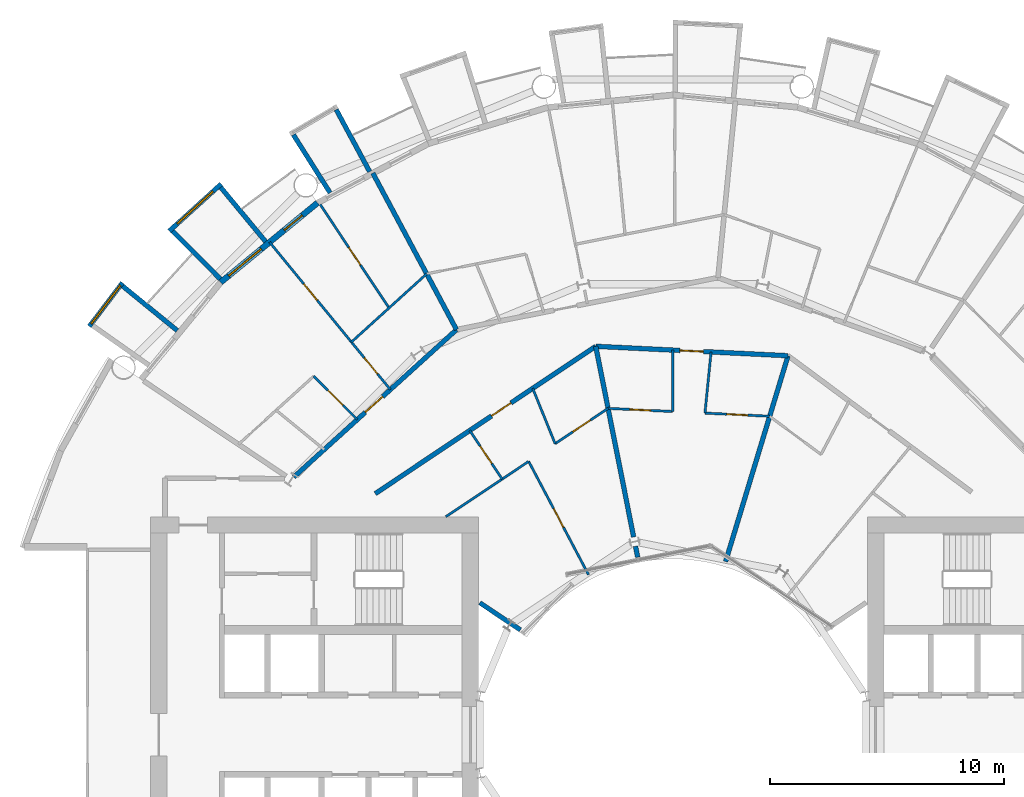
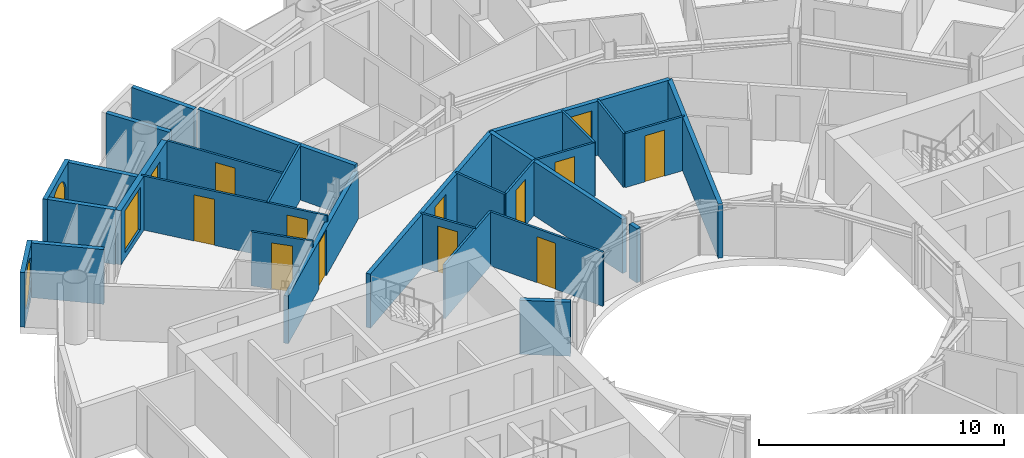
# One storey, part 19 of 26: 29 walls, 13 doors, 3 windows, 16 openings.
"""IFC4 building model written with IfcOpenShell, lengths in metres."""

from ifc_helpers import new_model, si_unit, direction, frame, frame_2d, origin, place, context, subcontext, project, spatial, rectangle, circle, extrude, material, layer, layer_set, type_object, element, fill, save


model = new_model("IFC4")

# Units and contexts
model_context = context("Model", 3, precision=1e-05, world=origin(), true_north=direction((0.0, 1.0)))
body_context = subcontext(model_context, "Body", "Model", "MODEL_VIEW")
ifc_project = project(units=[si_unit("LENGTHUNIT", "METRE"), si_unit("AREAUNIT", "SQUARE_METRE"), si_unit("VOLUMEUNIT", "CUBIC_METRE"), si_unit("PLANEANGLEUNIT", "RADIAN"), si_unit("MASSUNIT", "GRAM", prefix="KILO")], contexts=[model_context])

# Site, building, storey
site_placement = place(None, origin())
site = spatial("IfcSite", under=ifc_project, at=site_placement, CompositionType="ELEMENT")
building_placement = place(site_placement, origin())
building = spatial("IfcBuilding", under=site, at=building_placement, Name="Maasbend Ring Residences", CompositionType="ELEMENT")
storey_placement = place(building_placement, frame((0.0, 0.0, 63.60009765625)))
storey = spatial("IfcBuildingStorey", under=building, at=storey_placement, Name="L17", CompositionType="ELEMENT", Elevation=63.60009765625)

# Wall, opening, door
ifc_material_1 = material(Name="Concrete C30/37", Category="concrete")
ifc_layer_1 = layer(ifc_material_1, 0.199951171875)
ifc_layer_set_1 = layer_set([ifc_layer_1], Name="Concrete C30/37")
wall_type_1 = type_object("IfcWallType", Name="CORRIDOR WALL 200 CONCRETE", PredefinedType="PARTITIONING", material=ifc_layer_set_1)
wall_1_placement = place(storey_placement, frame((-12.7080078125, 10.285888671875, 0.0), z_axis=(0.0, 0.0, 1.0), x_axis=(0.831405725802, 0.555665834026, 0.0)))
wall_1 = element("IfcWall", 1, at=wall_1_placement, inside=storey, type_object=wall_type_1, Name="U-L17-w101", PredefinedType="PARTITIONING", context=body_context, shape_type="SweptSolid", body=[
    extrude(rectangle(XDim=11.314453125, YDim=0.199951171875, at=frame_2d((5.6572265625, 0.0))), origin(), (0.0, 0.0, 1.0), 2.699951171875),
])
opening_1_placement = place(wall_1_placement, frame((5.968994140625, 0.0, 0.0)))
opening_1 = element("IfcOpeningElement", 2, at=opening_1_placement, cuts=wall_1, Name="Opening D-1731", PredefinedType="OPENING", context=body_context, shape_type="SweptSolid", body=[
    extrude(rectangle(XDim=1.0, YDim=2.300048828125, at=frame_2d((0.5, 1.14990234375))), frame((0.0, 0.10986328125, 0.0), z_axis=(0.0, -1.0, 0.0), x_axis=(1.0, 0.0, 0.0)), (0.0, 0.0, 1.0), 0.219970703125),
])
ifc_material_2 = material(Name="Timber, fire-rated, painted", Category="wood")
door_type_1 = type_object("IfcDoorType", Name="FLAT ENTRANCE DOOR 1000 X 2300 FIRE-RATED", OperationType="NOTDEFINED", PredefinedType="DOOR", material=ifc_material_2)
door_1_placement = place(opening_1_placement, origin())
door_1 = element("IfcDoor", 3, at=door_1_placement, inside=storey, type_object=door_type_1, Name="D-1731", OperationType="SINGLE_SWING_RIGHT", OverallHeight=2.300048828125, OverallWidth=1.0, PredefinedType="DOOR", context=body_context, shape_type="SweptSolid", body=[
    extrude(rectangle(XDim=1.0, YDim=2.300048828125, at=frame_2d((0.5, 1.14990234375))), frame((0.0, 0.02490234375, 0.0), z_axis=(0.0, -1.0, 0.0), x_axis=(1.0, 0.0, 0.0)), (0.0, 0.0, 1.0), 0.050048828125),
])
fill(opening_1, door_1)

wall_2_placement = place(storey_placement, frame((-3.298095703125, 16.573974609375, 0.0), z_axis=(0.0, 0.0, 1.0), x_axis=(0.998802523271, -0.048923608895, 0.0)))
wall_2 = element("IfcWall", 4, at=wall_2_placement, inside=storey, type_object=wall_type_1, Name="U-L17-w103", PredefinedType="PARTITIONING", context=body_context, shape_type="SweptSolid", body=[
    extrude(rectangle(XDim=8.2138671875, YDim=0.199951171875, at=frame_2d((4.10693359375, 0.0))), origin(), (0.0, 0.0, 1.0), 2.699951171875),
])
opening_2_placement = place(wall_2_placement, frame((3.60009765625, 0.0, 0.0)))
opening_2 = element("IfcOpeningElement", 5, at=opening_2_placement, cuts=wall_2, Name="Opening D-1728", PredefinedType="OPENING", context=body_context, shape_type="SweptSolid", body=[
    extrude(rectangle(XDim=1.0, YDim=2.300048828125, at=frame_2d((0.5, 1.14990234375))), frame((0.0, 0.10986328125, 0.0), z_axis=(0.0, -1.0, 0.0), x_axis=(1.0, 0.0, 0.0)), (0.0, 0.0, 1.0), 0.219970703125),
])
door_2_placement = place(opening_2_placement, origin())
door_2 = element("IfcDoor", 6, at=door_2_placement, inside=storey, type_object=door_type_1, Name="D-1728", OperationType="SINGLE_SWING_LEFT", OverallHeight=2.300048828125, OverallWidth=1.0, PredefinedType="DOOR", context=body_context, shape_type="SweptSolid", body=[
    extrude(rectangle(XDim=1.0, YDim=2.300048828125, at=frame_2d((0.5, 1.14990234375))), frame((0.0, 0.02490234375, 0.0), z_axis=(0.0, -1.0, 0.0), x_axis=(1.0, 0.0, 0.0)), (0.0, 0.0, 1.0), 0.050048828125),
])
fill(opening_2, door_2)

wall_3_placement = place(storey_placement, frame((-16.179931640625, 10.9951171875, 0.0), z_axis=(0.0, 0.0, 1.0), x_axis=(0.741086986457, 0.671409024741, 0.0)))
wall_3 = element("IfcWall", 7, at=wall_3_placement, inside=storey, type_object=wall_type_1, Name="U-L17-w105", PredefinedType="PARTITIONING", context=body_context, shape_type="SweptSolid", body=[
    extrude(rectangle(XDim=9.372802734375, YDim=0.199951171875, at=frame_2d((4.6865234375, 0.0))), origin(), (0.0, 0.0, 1.0), 2.3798828125),
])
opening_3_placement = place(wall_3_placement, frame((4.114990234375, 0.0, 0.0)))
opening_3 = element("IfcOpeningElement", 8, at=opening_3_placement, cuts=wall_3, Name="Opening D-1718", PredefinedType="OPENING", context=body_context, shape_type="SweptSolid", body=[
    extrude(rectangle(XDim=1.0, YDim=2.300048828125, at=frame_2d((0.5, 1.14990234375))), frame((0.0, 0.10986328125, 0.0), z_axis=(0.0, -1.0, 0.0), x_axis=(1.0, 0.0, 0.0)), (0.0, 0.0, 1.0), 0.219970703125),
])
door_3_placement = place(opening_3_placement, origin())
door_3 = element("IfcDoor", 9, at=door_3_placement, inside=storey, type_object=door_type_1, Name="D-1718", OperationType="SINGLE_SWING_LEFT", OverallHeight=2.300048828125, OverallWidth=1.0, PredefinedType="DOOR", context=body_context, shape_type="SweptSolid", body=[
    extrude(rectangle(XDim=1.0, YDim=2.300048828125, at=frame_2d((0.5, 1.14990234375))), frame((0.0, 0.02490234375, 0.0), z_axis=(0.0, -1.0, 0.0), x_axis=(1.0, 0.0, 0.0)), (0.0, 0.0, 1.0), 0.050048828125),
])
fill(opening_3, door_3)

# Walls
ifc_material_3 = material(Name="Pale anodised aluminium panel", Category="aluminium")
ifc_layer_2 = layer(ifc_material_3, 0.199951171875)
ifc_layer_set_2 = layer_set([ifc_layer_2], Name="EW-BOX")
wall_type_2 = type_object("IfcWallType", Name="EW-BOX", PredefinedType="SOLIDWALL", material=ifc_layer_set_2)
wall_4_placement = place(storey_placement, frame((-12.945068359375, 24.029052734375, -0.030029296875), z_axis=(0.0, 0.0, 1.0), x_axis=(-0.474424310775, 0.88029629861, 0.0)))
element("IfcWall", 10, at=wall_4_placement, inside=storey, type_object=wall_type_2, Name="Box side wall N16 left", PredefinedType="SOLIDWALL", context=body_context, shape_type="SweptSolid", body=[
    extrude(rectangle(XDim=3.005859375, YDim=0.199951171875, at=frame_2d((1.5029296875, 0.0))), origin(), (0.0, 0.0, 1.0), 2.72998046875),
])
wall_5_placement = place(storey_placement, frame((-14.635009765625, 23.1259765625, -0.030029296875), z_axis=(0.0, 0.0, 1.0), x_axis=(-0.534437802731, 0.845207805816, 0.0)))
element("IfcWall", 11, at=wall_5_placement, inside=storey, type_object=wall_type_2, Name="Box side wall N16 right", PredefinedType="SOLIDWALL", context=body_context, shape_type="SweptSolid", body=[
    extrude(rectangle(XDim=2.931884765625, YDim=0.199951171875, at=frame_2d((1.4658203125, 0.0))), origin(), (0.0, 0.0, 1.0), 2.72998046875),
])

# Wall, opening, window
wall_6_placement = place(storey_placement, frame((-19.281982421875, 23.5029296875, -0.030029296875), z_axis=(0.0, 0.0, 1.0), x_axis=(-0.740998365753, -0.671506829416, 0.0)))
wall_6 = element("IfcWall", 12, at=wall_6_placement, inside=storey, type_object=wall_type_2, Name="Box front N18", PredefinedType="SOLIDWALL", context=body_context, shape_type="SweptSolid", body=[
    extrude(rectangle(XDim=2.9931640625, YDim=0.199951171875, at=frame_2d((1.49658203125, 0.0))), origin(), (0.0, 0.0, 1.0), 2.72998046875),
])
opening_4_placement = place(wall_6_placement, frame((0.45654296875, 0.0, 0.330078125)))
opening_4 = element("IfcOpeningElement", 13, at=opening_4_placement, cuts=wall_6, Name="Opening W-RD", PredefinedType="OPENING", context=body_context, shape_type="SweptSolid", body=[
    extrude(circle(Radius=1.0400390625, at=frame_2d((1.0400390625, 1.0400390625))), frame((0.0, 0.10986328125, 0.0), z_axis=(0.0, -1.0, 0.0), x_axis=(1.0, 0.0, 0.0)), (0.0, 0.0, 1.0), 0.219970703125),
])
ifc_material_4 = material(Name="Aluminium and clear glass", Category="aluminium")
window_type_1 = type_object("IfcWindowType", Name="W-RD", PartitioningType="SINGLE_PANEL", PredefinedType="WINDOW", material=ifc_material_4)
window_1_placement = place(opening_4_placement, origin())
window_1 = element("IfcWindow", 14, at=window_1_placement, inside=storey, type_object=window_type_1, Name="Round window N18", OverallHeight=2.080078125, OverallWidth=2.080078125, PartitioningType="SINGLE_PANEL", PredefinedType="WINDOW", context=body_context, shape_type="SweptSolid", body=[
    extrude(circle(Radius=1.0400390625, at=frame_2d((1.0400390625, 1.0400390625))), frame((0.0, 0.030029296875, 0.0), z_axis=(0.0, -1.0, 0.0), x_axis=(1.0, 0.0, 0.0)), (0.0, 0.0, 1.0), 0.06005859375),
])
fill(opening_4, window_1)

# Walls
wall_7_placement = place(storey_placement, frame((-17.384033203125, 21.041015625, -0.030029296875), z_axis=(0.0, 0.0, 1.0), x_axis=(-0.63709551667, 0.770784861449, 0.0)))
element("IfcWall", 15, at=wall_7_placement, inside=storey, type_object=wall_type_2, Name="Box side wall N18 left", PredefinedType="SOLIDWALL", context=body_context, shape_type="SweptSolid", body=[
    extrude(rectangle(XDim=3.005859375, YDim=0.199951171875, at=frame_2d((1.5029296875, 0.0))), origin(), (0.0, 0.0, 1.0), 2.72998046875),
])
wall_8_placement = place(storey_placement, frame((-19.322998046875, 19.449951171875, -0.030029296875), z_axis=(0.0, 0.0, 1.0), x_axis=(-0.704476739375, 0.709727076896, 0.0)))
element("IfcWall", 16, at=wall_8_placement, inside=storey, type_object=wall_type_2, Name="Box side wall N18 right", PredefinedType="SOLIDWALL", context=body_context, shape_type="SweptSolid", body=[
    extrude(rectangle(XDim=2.883056640625, YDim=0.199951171875, at=frame_2d((1.44140625, 0.0))), origin(), (0.0, 0.0, 1.0), 2.72998046875),
])

# Wall, opening, window
wall_9_placement = place(storey_placement, frame((-23.4970703125, 19.2890625, -0.030029296875), z_axis=(0.0, 0.0, 1.0), x_axis=(-0.60418752353, -0.796842165306, 0.0)))
wall_9 = element("IfcWall", 17, at=wall_9_placement, inside=storey, type_object=wall_type_2, Name="Box front N20", PredefinedType="SOLIDWALL", context=body_context, shape_type="SweptSolid", body=[
    extrude(rectangle(XDim=2.3369140625, YDim=0.199951171875, at=frame_2d((1.16845703125, 0.0))), origin(), (0.0, 0.0, 1.0), 2.72998046875),
])
opening_5_placement = place(wall_9_placement, frame((0.128173828125, 0.0, 0.330078125)))
opening_5 = element("IfcOpeningElement", 18, at=opening_5_placement, cuts=wall_9, Name="Opening W-RD", PredefinedType="OPENING", context=body_context, shape_type="SweptSolid", body=[
    extrude(circle(Radius=1.0400390625, at=frame_2d((1.0400390625, 1.0400390625))), frame((0.0, 0.10986328125, 0.0), z_axis=(0.0, -1.0, 0.0), x_axis=(1.0, 0.0, 0.0)), (0.0, 0.0, 1.0), 0.219970703125),
])
window_2_placement = place(opening_5_placement, origin())
window_2 = element("IfcWindow", 19, at=window_2_placement, inside=storey, type_object=window_type_1, Name="Round window N20", OverallHeight=2.080078125, OverallWidth=2.080078125, PartitioningType="SINGLE_PANEL", PredefinedType="WINDOW", context=body_context, shape_type="SweptSolid", body=[
    extrude(circle(Radius=1.0400390625, at=frame_2d((1.0400390625, 1.0400390625))), frame((0.0, 0.030029296875, 0.0), z_axis=(0.0, -1.0, 0.0), x_axis=(1.0, 0.0, 0.0)), (0.0, 0.0, 1.0), 0.06005859375),
])
fill(opening_5, window_2)

# Wall
wall_10_placement = place(storey_placement, frame((-21.155029296875, 17.24609375, -0.030029296875), z_axis=(0.0, 0.0, 1.0), x_axis=(-0.775179004516, 0.631741648902, 0.0)))
element("IfcWall", 20, at=wall_10_placement, inside=storey, type_object=wall_type_2, Name="Box side wall N20 left", PredefinedType="SOLIDWALL", context=body_context, shape_type="SweptSolid", body=[
    extrude(rectangle(XDim=3.005859375, YDim=0.199951171875, at=frame_2d((1.5029296875, 0.0))), origin(), (0.0, 0.0, 1.0), 2.72998046875),
])

# Wall, openings, door, window
ifc_material_5 = material(Name="Aluminium clad insulated panel", Category="aluminium")
ifc_layer_3 = layer(ifc_material_5, 0.25)
ifc_layer_set_3 = layer_set([ifc_layer_3], Name="EW-GL")
wall_type_3 = type_object("IfcWallType", Name="EW-GL", PredefinedType="SOLIDWALL", material=ifc_layer_set_3)
wall_11_placement = place(storey_placement, frame((-15.1669921875, 22.698974609375, 0.0), z_axis=(0.0, 0.0, 1.0), x_axis=(-0.773019449054, -0.634382322723, 0.0)))
wall_11 = element("IfcWall", 21, at=wall_11_placement, inside=storey, type_object=wall_type_3, Name="External wall N09", PredefinedType="SOLIDWALL", context=body_context, shape_type="SweptSolid", body=[
    extrude(rectangle(XDim=5.351806640625, YDim=0.25, at=frame_2d((2.67578125, 0.0))), origin(), (0.0, 0.0, 1.0), 2.699951171875),
])
opening_6_placement = place(wall_11_placement, frame((0.841064453125, 0.0, 0.0)))
opening_6 = element("IfcOpeningElement", 22, at=opening_6_placement, cuts=wall_11, Name="Opening D-LG", PredefinedType="OPENING", context=body_context, shape_type="SweptSolid", body=[
    extrude(rectangle(XDim=1.0, YDim=2.199951171875, at=frame_2d((0.5, 1.10009765625))), frame((0.0, 0.135009765625, 0.0), z_axis=(0.0, -1.0, 0.0), x_axis=(1.0, 0.0, 0.0)), (0.0, 0.0, 1.0), 0.27001953125),
])
opening_7_placement = place(wall_11_placement, frame((3.110595703125, 0.0, 0.300048828125)))
opening_7 = element("IfcOpeningElement", 23, at=opening_7_placement, cuts=wall_11, Name="Opening W-BX", PredefinedType="OPENING", context=body_context, shape_type="SweptSolid", body=[
    extrude(rectangle(XDim=1.800048828125, YDim=2.10009765625, at=frame_2d((0.89990234375, 1.050048828125))), frame((0.0, 0.135009765625, 0.0), z_axis=(0.0, -1.0, 0.0), x_axis=(1.0, 0.0, 0.0)), (0.0, 0.0, 1.0), 0.27001953125),
])
ifc_material_6 = material(Name="Aluminium and clear glass", Category="aluminium")
door_type_2 = type_object("IfcDoorType", Name="D-LG", OperationType="SINGLE_SWING_LEFT", PredefinedType="DOOR", material=ifc_material_6)
door_4_placement = place(opening_6_placement, origin())
door_4 = element("IfcDoor", 24, at=door_4_placement, inside=storey, type_object=door_type_2, Name="Loggia door N17", OperationType="SINGLE_SWING_LEFT", OverallHeight=2.199951171875, OverallWidth=1.0, PredefinedType="DOOR", context=body_context, shape_type="SweptSolid", body=[
    extrude(rectangle(XDim=1.0, YDim=2.199951171875, at=frame_2d((0.5, 1.10009765625))), frame((0.0, 0.02490234375, 0.0), z_axis=(0.0, -1.0, 0.0), x_axis=(1.0, 0.0, 0.0)), (0.0, 0.0, 1.0), 0.050048828125),
])
fill(opening_6, door_4)
ifc_material_7 = material(Name="Aluminium and clear glass", Category="aluminium")
window_type_2 = type_object("IfcWindowType", Name="W-BX", PartitioningType="DOUBLE_PANEL_VERTICAL", PredefinedType="WINDOW", material=ifc_material_7)
window_3_placement = place(opening_7_placement, origin())
window_3 = element("IfcWindow", 25, at=window_3_placement, inside=storey, type_object=window_type_2, Name="Window N18 room to box", OverallHeight=2.10009765625, OverallWidth=1.800048828125, PartitioningType="SINGLE_PANEL", PredefinedType="WINDOW", context=body_context, shape_type="SweptSolid", body=[
    extrude(rectangle(XDim=1.800048828125, YDim=2.10009765625, at=frame_2d((0.89990234375, 1.050048828125))), frame((0.0, 0.030029296875, 0.0), z_axis=(0.0, -1.0, 0.0), x_axis=(1.0, 0.0, 0.0)), (0.0, 0.0, 1.0), 0.06005859375),
])
fill(opening_7, window_3)

# Wall, openings, doors
ifc_material_8 = material(Name="Gypsum board on steel studs", Category="steel")
ifc_layer_4 = layer(ifc_material_8, 0.10009765625)
ifc_layer_set_4 = layer_set([ifc_layer_4], Name="PARTITION 100 GYPSUM")
wall_type_4 = type_object("IfcWallType", Name="PARTITION 100 GYPSUM", PredefinedType="PARTITIONING", material=ifc_layer_set_4)
wall_12_placement = place(storey_placement, frame((-17.218994140625, 21.02294921875, 0.0), z_axis=(0.0, 0.0, 1.0), x_axis=(0.633664062855, -0.773608334654, 0.0)))
wall_12 = element("IfcWall", 26, at=wall_12_placement, inside=storey, type_object=wall_type_4, Name="U-L17-w033", PredefinedType="PARTITIONING", context=body_context, shape_type="SweptSolid", body=[
    extrude(rectangle(XDim=8.138427734375, YDim=0.10009765625, at=frame_2d((4.0693359375, 0.0))), origin(), (0.0, 0.0, 1.0), 2.699951171875),
])
opening_8_placement = place(wall_12_placement, frame((6.376953125, 0.0, 0.0)))
opening_8 = element("IfcOpeningElement", 27, at=opening_8_placement, cuts=wall_12, Name="Opening D-1721", PredefinedType="OPENING", context=body_context, shape_type="SweptSolid", body=[
    extrude(rectangle(XDim=0.89990234375, YDim=2.300048828125, at=frame_2d((0.449951171875, 1.14990234375))), frame((0.0, 0.06005859375, 0.0), z_axis=(0.0, -1.0, 0.0), x_axis=(1.0, 0.0, 0.0)), (0.0, 0.0, 1.0), 0.1201171875),
])
opening_9_placement = place(wall_12_placement, frame((2.30810546875, 0.0, 0.0)))
opening_9 = element("IfcOpeningElement", 28, at=opening_9_placement, cuts=wall_12, Name="Opening D-1722", PredefinedType="OPENING", context=body_context, shape_type="SweptSolid", body=[
    extrude(rectangle(XDim=0.89990234375, YDim=2.300048828125, at=frame_2d((0.449951171875, 1.14990234375))), frame((0.0, 0.06005859375, 0.0), z_axis=(0.0, -1.0, 0.0), x_axis=(1.0, 0.0, 0.0)), (0.0, 0.0, 1.0), 0.1201171875),
])
ifc_material_9 = material(Name="Timber, painted", Category="wood")
door_type_3 = type_object("IfcDoorType", Name="INTERNAL DOOR 900 X 2300", OperationType="NOTDEFINED", PredefinedType="DOOR", material=ifc_material_9)
door_5_placement = place(opening_8_placement, origin())
door_5 = element("IfcDoor", 29, at=door_5_placement, inside=storey, type_object=door_type_3, Name="D-1721", OperationType="SINGLE_SWING_RIGHT", OverallHeight=2.300048828125, OverallWidth=0.89990234375, PredefinedType="DOOR", context=body_context, shape_type="SweptSolid", body=[
    extrude(rectangle(XDim=0.89990234375, YDim=2.300048828125, at=frame_2d((0.449951171875, 1.14990234375))), frame((0.0, 0.02490234375, 0.0), z_axis=(0.0, -1.0, 0.0), x_axis=(1.0, 0.0, 0.0)), (0.0, 0.0, 1.0), 0.050048828125),
])
fill(opening_8, door_5)
door_6_placement = place(opening_9_placement, origin())
door_6 = element("IfcDoor", 30, at=door_6_placement, inside=storey, type_object=door_type_3, Name="D-1722", OperationType="SINGLE_SWING_LEFT", OverallHeight=2.300048828125, OverallWidth=0.89990234375, PredefinedType="DOOR", context=body_context, shape_type="SweptSolid", body=[
    extrude(rectangle(XDim=0.89990234375, YDim=2.300048828125, at=frame_2d((0.449951171875, 1.14990234375))), frame((0.0, 0.02490234375, 0.0), z_axis=(0.0, -1.0, 0.0), x_axis=(1.0, 0.0, 0.0)), (0.0, 0.0, 1.0), 0.050048828125),
])
fill(opening_9, door_6)

# Wall, opening, door
wall_13_placement = place(storey_placement, frame((-15.330078125, 15.300048828125, 0.0), z_axis=(0.0, 0.0, 1.0), x_axis=(0.707851299421, -0.706361478217, 0.0)))
wall_13 = element("IfcWall", 31, at=wall_13_placement, inside=storey, type_object=wall_type_4, Name="U-L17-w035", PredefinedType="PARTITIONING", context=body_context, shape_type="SweptSolid", body=[
    extrude(rectangle(XDim=2.6220703125, YDim=0.10009765625, at=frame_2d((1.31103515625, 0.0))), origin(), (0.0, 0.0, 1.0), 2.699951171875),
])
opening_10_placement = place(wall_13_placement, frame((0.861083984375, 0.0, 0.0)))
opening_10 = element("IfcOpeningElement", 32, at=opening_10_placement, cuts=wall_13, Name="Opening D-1720", PredefinedType="OPENING", context=body_context, shape_type="SweptSolid", body=[
    extrude(rectangle(XDim=0.89990234375, YDim=2.300048828125, at=frame_2d((0.449951171875, 1.14990234375))), frame((0.0, 0.06005859375, 0.0), z_axis=(0.0, -1.0, 0.0), x_axis=(1.0, 0.0, 0.0)), (0.0, 0.0, 1.0), 0.1201171875),
])
door_7_placement = place(opening_10_placement, origin())
door_7 = element("IfcDoor", 33, at=door_7_placement, inside=storey, type_object=door_type_3, Name="D-1720", OperationType="SINGLE_SWING_RIGHT", OverallHeight=2.300048828125, OverallWidth=0.89990234375, PredefinedType="DOOR", context=body_context, shape_type="SweptSolid", body=[
    extrude(rectangle(XDim=0.89990234375, YDim=2.300048828125, at=frame_2d((0.449951171875, 1.14990234375))), frame((0.0, 0.02490234375, 0.0), z_axis=(0.0, -1.0, 0.0), x_axis=(1.0, 0.0, 0.0)), (0.0, 0.0, 1.0), 0.050048828125),
])
fill(opening_10, door_7)

wall_14_placement = place(storey_placement, frame((-15.053955078125, 22.6240234375, 0.0), z_axis=(0.0, 0.0, 1.0), x_axis=(0.553913391217, -0.832574294, 0.0)))
wall_14 = element("IfcWall", 34, at=wall_14_placement, inside=storey, type_object=wall_type_4, Name="U-L17-w037", PredefinedType="PARTITIONING", context=body_context, shape_type="SweptSolid", body=[
    extrude(rectangle(XDim=5.300537109375, YDim=0.10009765625, at=frame_2d((2.650390625, 0.0))), origin(), (0.0, 0.0, 1.0), 2.699951171875),
])
opening_11_placement = place(wall_14_placement, frame((2.199951171875, 0.0, 0.0)))
opening_11 = element("IfcOpeningElement", 35, at=opening_11_placement, cuts=wall_14, Name="Opening D-1723", PredefinedType="OPENING", context=body_context, shape_type="SweptSolid", body=[
    extrude(rectangle(XDim=0.89990234375, YDim=2.300048828125, at=frame_2d((0.449951171875, 1.14990234375))), frame((0.0, 0.06005859375, 0.0), z_axis=(0.0, -1.0, 0.0), x_axis=(1.0, 0.0, 0.0)), (0.0, 0.0, 1.0), 0.1201171875),
])
door_8_placement = place(opening_11_placement, origin())
door_8 = element("IfcDoor", 36, at=door_8_placement, inside=storey, type_object=door_type_3, Name="D-1723", OperationType="SINGLE_SWING_LEFT", OverallHeight=2.300048828125, OverallWidth=0.89990234375, PredefinedType="DOOR", context=body_context, shape_type="SweptSolid", body=[
    extrude(rectangle(XDim=0.89990234375, YDim=2.300048828125, at=frame_2d((0.449951171875, 1.14990234375))), frame((0.0, 0.02490234375, 0.0), z_axis=(0.0, -1.0, 0.0), x_axis=(1.0, 0.0, 0.0)), (0.0, 0.0, 1.0), 0.050048828125),
])
fill(opening_11, door_8)

wall_15_placement = place(storey_placement, frame((-8.674072265625, 12.98193359375, 0.0), z_axis=(0.0, 0.0, 1.0), x_axis=(0.555355163998, -0.831613276602, 0.0)))
wall_15 = element("IfcWall", 37, at=wall_15_placement, inside=storey, type_object=wall_type_4, Name="U-L17-w043", PredefinedType="PARTITIONING", context=body_context, shape_type="SweptSolid", body=[
    extrude(rectangle(XDim=2.493896484375, YDim=0.10009765625, at=frame_2d((1.2470703125, 0.0))), origin(), (0.0, 0.0, 1.0), 2.699951171875),
])
opening_12_placement = place(wall_15_placement, frame((0.797119140625, 0.0, 0.0)))
opening_12 = element("IfcOpeningElement", 38, at=opening_12_placement, cuts=wall_15, Name="Opening D-1733", PredefinedType="OPENING", context=body_context, shape_type="SweptSolid", body=[
    extrude(rectangle(XDim=0.89990234375, YDim=2.300048828125, at=frame_2d((0.449951171875, 1.14990234375))), frame((0.0, 0.06005859375, 0.0), z_axis=(0.0, -1.0, 0.0), x_axis=(1.0, 0.0, 0.0)), (0.0, 0.0, 1.0), 0.1201171875),
])
door_9_placement = place(opening_12_placement, origin())
door_9 = element("IfcDoor", 39, at=door_9_placement, inside=storey, type_object=door_type_3, Name="D-1733", OperationType="SINGLE_SWING_RIGHT", OverallHeight=2.300048828125, OverallWidth=0.89990234375, PredefinedType="DOOR", context=body_context, shape_type="SweptSolid", body=[
    extrude(rectangle(XDim=0.89990234375, YDim=2.300048828125, at=frame_2d((0.449951171875, 1.14990234375))), frame((0.0, 0.02490234375, 0.0), z_axis=(0.0, -1.0, 0.0), x_axis=(1.0, 0.0, 0.0)), (0.0, 0.0, 1.0), 0.050048828125),
])
fill(opening_12, door_9)

wall_16_placement = place(storey_placement, frame((-6.158935546875, 11.6630859375, 0.0), z_axis=(0.0, 0.0, 1.0), x_axis=(0.466976820365, -0.884269556889, 0.0)))
wall_16 = element("IfcWall", 40, at=wall_16_placement, inside=storey, type_object=wall_type_4, Name="U-L17-w047", PredefinedType="PARTITIONING", context=body_context, shape_type="SweptSolid", body=[
    extrude(rectangle(XDim=5.46923828125, YDim=0.10009765625, at=frame_2d((2.734619140625, 0.0))), origin(), (0.0, 0.0, 1.0), 2.699951171875),
])
opening_13_placement = place(wall_16_placement, frame((2.283935546875, 0.0, 0.0)))
opening_13 = element("IfcOpeningElement", 41, at=opening_13_placement, cuts=wall_16, Name="Opening D-1734", PredefinedType="OPENING", context=body_context, shape_type="SweptSolid", body=[
    extrude(rectangle(XDim=0.89990234375, YDim=2.300048828125, at=frame_2d((0.449951171875, 1.14990234375))), frame((0.0, 0.06005859375, 0.0), z_axis=(0.0, -1.0, 0.0), x_axis=(1.0, 0.0, 0.0)), (0.0, 0.0, 1.0), 0.1201171875),
])
door_10_placement = place(opening_13_placement, origin())
door_10 = element("IfcDoor", 42, at=door_10_placement, inside=storey, type_object=door_type_3, Name="D-1734", OperationType="SINGLE_SWING_RIGHT", OverallHeight=2.300048828125, OverallWidth=0.89990234375, PredefinedType="DOOR", context=body_context, shape_type="SweptSolid", body=[
    extrude(rectangle(XDim=0.89990234375, YDim=2.300048828125, at=frame_2d((0.449951171875, 1.14990234375))), frame((0.0, 0.02490234375, 0.0), z_axis=(0.0, -1.0, 0.0), x_axis=(1.0, 0.0, 0.0)), (0.0, 0.0, 1.0), 0.050048828125),
])
fill(opening_13, door_10)

# Walls
wall_17_placement = place(storey_placement, frame((-5.986083984375, 14.779052734375, 0.0), z_axis=(0.0, 0.0, 1.0), x_axis=(0.375649498413, -0.926761811008, 0.0)))
element("IfcWall", 43, at=wall_17_placement, inside=storey, type_object=wall_type_4, Name="U-L17-w048", PredefinedType="PARTITIONING", context=body_context, shape_type="SweptSolid", body=[
    extrude(rectangle(XDim=2.547607421875, YDim=0.10009765625, at=frame_2d((1.27392578125, 0.0))), origin(), (0.0, 0.0, 1.0), 2.699951171875),
])
wall_18_placement = place(storey_placement, frame((-0.012939453125, 13.7919921875, 0.0), z_axis=(0.0, 0.0, 1.0), x_axis=(-0.001210427419, 0.999999267432, 0.0)))
element("IfcWall", 44, at=wall_18_placement, inside=storey, type_object=wall_type_4, Name="U-L17-w060", PredefinedType="PARTITIONING", context=body_context, shape_type="SweptSolid", body=[
    extrude(rectangle(XDim=2.6220703125, YDim=0.10009765625, at=frame_2d((1.31103515625, 0.0))), origin(), (0.0, 0.0, 1.0), 2.699951171875),
])
wall_19_placement = place(storey_placement, frame((1.364990234375, 13.72412109375, 0.0), z_axis=(0.0, 0.0, 1.0), x_axis=(0.099171803948, 0.995070325807, 0.0)))
element("IfcWall", 45, at=wall_19_placement, inside=storey, type_object=wall_type_4, Name="U-L17-w062", PredefinedType="PARTITIONING", context=body_context, shape_type="SweptSolid", body=[
    extrude(rectangle(XDim=2.621826171875, YDim=0.10009765625, at=frame_2d((1.31103515625, 0.0))), origin(), (0.0, 0.0, 1.0), 2.699951171875),
])
wall_20_placement = place(storey_placement, frame((-9.695068359375, 9.300048828125, 0.0), z_axis=(0.0, 0.0, 1.0), x_axis=(0.831369521678, 0.555720000022, 0.0)))
element("IfcWall", 46, at=wall_20_placement, inside=storey, type_object=wall_type_4, Name="U-L17-w095", PredefinedType="PARTITIONING", context=body_context, shape_type="SweptSolid", body=[
    extrude(rectangle(XDim=4.252197265625, YDim=0.10009765625, at=frame_2d((2.1259765625, 0.0))), origin(), (0.0, 0.0, 1.0), 2.699951171875),
])

# Wall, opening, door
wall_21_placement = place(storey_placement, frame((-5.031982421875, 12.4169921875, 0.0), z_axis=(0.0, 0.0, 1.0), x_axis=(0.831538390496, 0.555467285384, 0.0)))
wall_21 = element("IfcWall", 47, at=wall_21_placement, inside=storey, type_object=wall_type_4, Name="U-L17-w096", PredefinedType="PARTITIONING", context=body_context, shape_type="SweptSolid", body=[
    extrude(rectangle(XDim=2.716796875, YDim=0.10009765625, at=frame_2d((1.3583984375, 0.0))), origin(), (0.0, 0.0, 1.0), 2.699951171875),
])
opening_14_placement = place(wall_21_placement, frame((0.910888671875, 0.0, 0.0)))
opening_14 = element("IfcOpeningElement", 48, at=opening_14_placement, cuts=wall_21, Name="Opening D-1732", PredefinedType="OPENING", context=body_context, shape_type="SweptSolid", body=[
    extrude(rectangle(XDim=0.89990234375, YDim=2.300048828125, at=frame_2d((0.449951171875, 1.14990234375))), frame((0.0, 0.06005859375, 0.0), z_axis=(0.0, -1.0, 0.0), x_axis=(1.0, 0.0, 0.0)), (0.0, 0.0, 1.0), 0.1201171875),
])
door_11_placement = place(opening_14_placement, origin())
door_11 = element("IfcDoor", 49, at=door_11_placement, inside=storey, type_object=door_type_3, Name="D-1732", OperationType="SINGLE_SWING_RIGHT", OverallHeight=2.300048828125, OverallWidth=0.89990234375, PredefinedType="DOOR", context=body_context, shape_type="SweptSolid", body=[
    extrude(rectangle(XDim=0.89990234375, YDim=2.300048828125, at=frame_2d((0.449951171875, 1.14990234375))), frame((0.0, 0.02490234375, 0.0), z_axis=(0.0, -1.0, 0.0), x_axis=(1.0, 0.0, 0.0)), (0.0, 0.0, 1.0), 0.050048828125),
])
fill(opening_14, door_11)

wall_22_placement = place(storey_placement, frame((-2.77001953125, 13.926025390625, 0.0), z_axis=(0.0, 0.0, 1.0), x_axis=(0.99880320044, -0.048909782152, 0.0)))
wall_22 = element("IfcWall", 50, at=wall_22_placement, inside=storey, type_object=wall_type_4, Name="U-L17-w099", PredefinedType="PARTITIONING", context=body_context, shape_type="SweptSolid", body=[
    extrude(rectangle(XDim=2.760498046875, YDim=0.10009765625, at=frame_2d((1.38037109375, 0.0))), origin(), (0.0, 0.0, 1.0), 2.699951171875),
])
opening_15_placement = place(wall_22_placement, frame((0.929931640625, 0.0, 0.0)))
opening_15 = element("IfcOpeningElement", 51, at=opening_15_placement, cuts=wall_22, Name="Opening D-1730", PredefinedType="OPENING", context=body_context, shape_type="SweptSolid", body=[
    extrude(rectangle(XDim=0.89990234375, YDim=2.300048828125, at=frame_2d((0.449951171875, 1.14990234375))), frame((0.0, 0.06005859375, 0.0), z_axis=(0.0, -1.0, 0.0), x_axis=(1.0, 0.0, 0.0)), (0.0, 0.0, 1.0), 0.1201171875),
])
door_12_placement = place(opening_15_placement, origin())
door_12 = element("IfcDoor", 52, at=door_12_placement, inside=storey, type_object=door_type_3, Name="D-1730", OperationType="SINGLE_SWING_LEFT", OverallHeight=2.300048828125, OverallWidth=0.89990234375, PredefinedType="DOOR", context=body_context, shape_type="SweptSolid", body=[
    extrude(rectangle(XDim=0.89990234375, YDim=2.300048828125, at=frame_2d((0.449951171875, 1.14990234375))), frame((0.0, 0.02490234375, 0.0), z_axis=(0.0, -1.0, 0.0), x_axis=(1.0, 0.0, 0.0)), (0.0, 0.0, 1.0), 0.050048828125),
])
fill(opening_15, door_12)

wall_23_placement = place(storey_placement, frame((1.364990234375, 13.72412109375, 0.0), z_axis=(0.0, 0.0, 1.0), x_axis=(0.99880320044, -0.048909782152, 0.0)))
wall_23 = element("IfcWall", 53, at=wall_23_placement, inside=storey, type_object=wall_type_4, Name="U-L17-w100", PredefinedType="PARTITIONING", context=body_context, shape_type="SweptSolid", body=[
    extrude(rectangle(XDim=2.760498046875, YDim=0.10009765625, at=frame_2d((1.38037109375, 0.0))), origin(), (0.0, 0.0, 1.0), 2.699951171875),
])
opening_16_placement = place(wall_23_placement, frame((0.929931640625, 0.0, 0.0)))
opening_16 = element("IfcOpeningElement", 54, at=opening_16_placement, cuts=wall_23, Name="Opening D-1729", PredefinedType="OPENING", context=body_context, shape_type="SweptSolid", body=[
    extrude(rectangle(XDim=0.89990234375, YDim=2.300048828125, at=frame_2d((0.449951171875, 1.14990234375))), frame((0.0, 0.06005859375, 0.0), z_axis=(0.0, -1.0, 0.0), x_axis=(1.0, 0.0, 0.0)), (0.0, 0.0, 1.0), 0.1201171875),
])
door_13_placement = place(opening_16_placement, origin())
door_13 = element("IfcDoor", 55, at=door_13_placement, inside=storey, type_object=door_type_3, Name="D-1729", OperationType="SINGLE_SWING_LEFT", OverallHeight=2.300048828125, OverallWidth=0.89990234375, PredefinedType="DOOR", context=body_context, shape_type="SweptSolid", body=[
    extrude(rectangle(XDim=0.89990234375, YDim=2.300048828125, at=frame_2d((0.449951171875, 1.14990234375))), frame((0.0, 0.02490234375, 0.0), z_axis=(0.0, -1.0, 0.0), x_axis=(1.0, 0.0, 0.0)), (0.0, 0.0, 1.0), 0.050048828125),
])
fill(opening_16, door_13)

# Walls
wall_24_placement = place(storey_placement, frame((-13.72412109375, 16.7548828125, 0.0), z_axis=(0.0, 0.0, 1.0), x_axis=(0.741022791884, 0.671479874537, 0.0)))
element("IfcWall", 56, at=wall_24_placement, inside=storey, type_object=wall_type_4, Name="U-L17-w111", PredefinedType="PARTITIONING", context=body_context, shape_type="SweptSolid", body=[
    extrude(rectangle(XDim=4.3427734375, YDim=0.10009765625, at=frame_2d((2.17138671875, 0.0))), origin(), (0.0, 0.0, 1.0), 2.699951171875),
])
ifc_material_10 = material(Name="Concrete C30/37", Category="concrete")
ifc_layer_5 = layer(ifc_material_10, 0.199951171875)
ifc_layer_set_5 = layer_set([ifc_layer_5], Name="Concrete C30/37")
wall_type_5 = type_object("IfcWallType", Name="PARTY WALL 200 CONCRETE", PredefinedType="PARTITIONING", material=ifc_layer_set_5)
wall_25_placement = place(storey_placement, frame((-12.81005859375, 23.966064453125, 0.0), z_axis=(0.0, 0.0, 1.0), x_axis=(0.471439510802, -0.881898399848, 0.0)))
element("IfcWall", 57, at=wall_25_placement, inside=storey, type_object=wall_type_5, Name="U-L17-w039", PredefinedType="PARTITIONING", context=body_context, shape_type="SweptSolid", body=[
    extrude(rectangle(XDim=7.57470703125, YDim=0.199951171875, at=frame_2d((3.787353515625, 0.0))), origin(), (0.0, 0.0, 1.0), 2.699951171875),
])
wall_26_placement = place(storey_placement, frame((-3.297119140625, 16.574951171875, 0.0), z_axis=(0.0, 0.0, 1.0), x_axis=(0.195092097924, -0.980784927152, 0.0)))
element("IfcWall", 58, at=wall_26_placement, inside=storey, type_object=wall_type_5, Name="U-L17-w053", PredefinedType="PARTITIONING", context=body_context, shape_type="SweptSolid", body=[
    extrude(rectangle(XDim=8.29931640625, YDim=0.199951171875, at=frame_2d((4.149658203125, 0.0))), origin(), (0.0, 0.0, 1.0), 2.699951171875),
])
wall_27_placement = place(storey_placement, frame((-1.60009765625, 8.0419921875, 0.0), z_axis=(0.0, 0.0, 1.0), x_axis=(0.196116135138, -0.980580675691, 0.0)))
element("IfcWall", 59, at=wall_27_placement, inside=storey, type_object=wall_type_5, Name="U-L17-w057", PredefinedType="PARTITIONING", context=body_context, shape_type="SweptSolid", body=[
    extrude(rectangle(XDim=0.479248046875, YDim=0.199951171875, at=frame_2d((0.23974609375, 0.0))), origin(), (0.0, 0.0, 1.0), 2.699951171875),
])
wall_28_placement = place(storey_placement, frame((2.2451171875, 7.386962890625, 0.0), z_axis=(0.0, 0.0, 1.0), x_axis=(0.290403763195, 0.956904203315, 0.0)))
element("IfcWall", 60, at=wall_28_placement, inside=storey, type_object=wall_type_5, Name="U-L17-w064", PredefinedType="PARTITIONING", context=body_context, shape_type="SweptSolid", body=[
    extrude(rectangle(XDim=9.179443359375, YDim=0.199951171875, at=frame_2d((4.58984375, 0.0))), origin(), (0.0, 0.0, 1.0), 2.699951171875),
])
wall_29_placement = place(storey_placement, frame((-6.512939453125, 4.471923828125, 0.0), z_axis=(0.0, 0.0, 1.0), x_axis=(-0.831382204863, 0.555701025225, 0.0)))
element("IfcWall", 61, at=wall_29_placement, inside=storey, type_object=wall_type_5, Name="U-L17-w091", PredefinedType="PARTITIONING", context=body_context, shape_type="SweptSolid", body=[
    extrude(rectangle(XDim=2.08203125, YDim=0.199951171875, at=frame_2d((1.041015625, 0.0))), origin(), (0.0, 0.0, 1.0), 2.699951171875),
])

save(model, "model.ifc")
